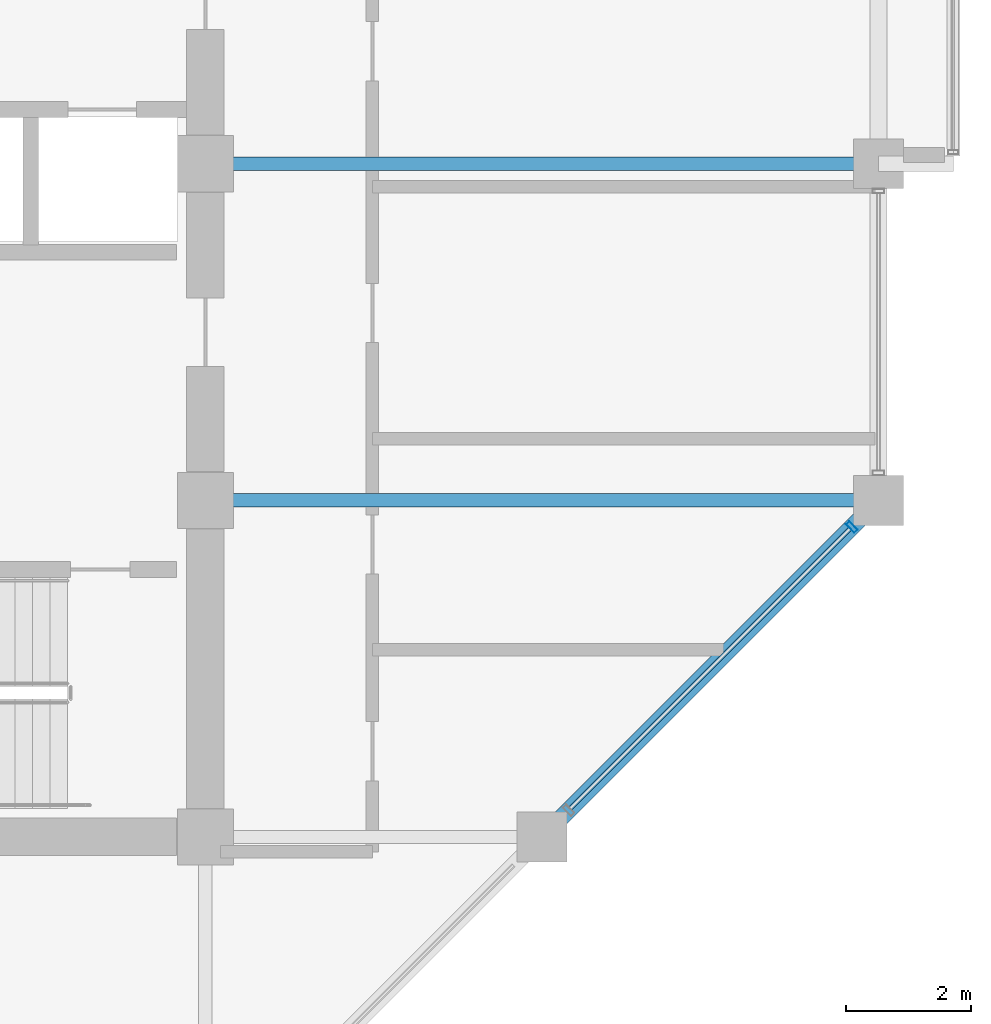
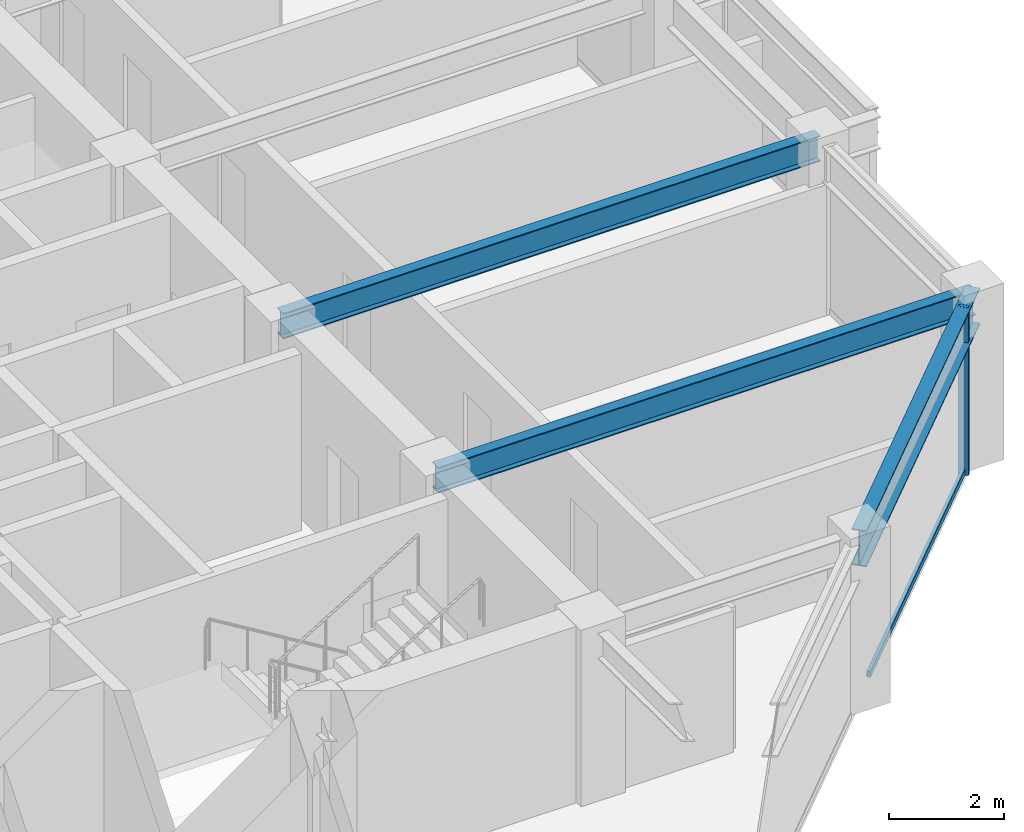
# One storey, part 10 of 28: 3 beams, 2 members, 1 element without a shape of its own.
"""IFC4 building model written with IfcOpenShell, lengths in metres."""

from ifc_helpers import new_model, si_unit, direction, frame, origin, origin_2d, place, context, subcontext, project, spatial, hollow_rectangle, i_section, extrude, material, layer, layer_set, material_profile, profile_set, type_object, element, aggregate, save


model = new_model("IFC4")

# Units and contexts
model_context = context("Model", 3, precision=1e-05, world=origin(), true_north=direction((0.0, 1.0)))
body_context = subcontext(model_context, "Body", "Model", "MODEL_VIEW")
ifc_project = project(units=[si_unit("LENGTHUNIT", "METRE"), si_unit("AREAUNIT", "SQUARE_METRE"), si_unit("VOLUMEUNIT", "CUBIC_METRE"), si_unit("PLANEANGLEUNIT", "RADIAN"), si_unit("MASSUNIT", "GRAM", prefix="KILO")], contexts=[model_context])

# Site, building, storey
site_placement = place(None, origin())
site = spatial("IfcSite", under=ifc_project, at=site_placement, CompositionType="ELEMENT")
building_placement = place(site_placement, origin())
building = spatial("IfcBuilding", under=site, at=building_placement, Name="Surkhivell Harbour Commons", CompositionType="ELEMENT")
storey_placement = place(building_placement, frame((0.0, 0.0, 238.5)))
storey = spatial("IfcBuildingStorey", under=building, at=storey_placement, Name="L62", CompositionType="ELEMENT", Elevation=238.5)

# Beams
ifc_material_1 = material(Name="Steel S355", Category="steel")
ifc_material_profile_1 = material_profile(ifc_material_1, i_section(OverallWidth=0.2119140625, OverallDepth=0.5439453125, WebThickness=0.0126953125, FlangeThickness=0.021240234375, at=origin_2d()), Name="UB533x210x122")
ifc_profile_set_1 = profile_set([ifc_material_profile_1], Name="Steel S355")
beam_type_1 = type_object("IfcBeamType", Name="BM-GRD-533A", PredefinedType="BEAM", material=ifc_profile_set_1)
for number, where, z_axis, x_axis, name in (
    (1, (10.800048828125, -5.39990234375, 3.298095703125), (1.0, 0.0, 0.0), (0.0, 1.0, 0.0), "L62 Floor Girder (10.8,-5.4)"),
    (2, (10.800048828125, 0.0, 3.298095703125), (1.0, 0.0, 0.0), (0.0, 1.0, 0.0), "L62 Floor Girder (10.8,0.0)"),
):
    element("IfcBeam", number, at=place(storey_placement, frame(where, z_axis=z_axis, x_axis=x_axis)), inside=storey, type_object=beam_type_1, Name=name, PredefinedType="BEAM", context=body_context, shape_type="SweptSolid", body=[
        extrude(i_section(OverallWidth=0.2119140625, OverallDepth=0.5439453125, WebThickness=0.0126953125, FlangeThickness=0.021240234375, at=origin_2d()), origin(), (0.0, 0.0, 1.0), 10.800048828125),
    ])
ifc_material_profile_2 = material_profile(ifc_material_1, i_section(OverallWidth=0.26806640625, OverallDepth=0.77001953125, WebThickness=0.015625, FlangeThickness=0.025390625, at=origin_2d()), Name="UB762x267x197")
ifc_profile_set_2 = profile_set([ifc_material_profile_2], Name="Steel S355")
beam_type_2 = type_object("IfcBeamType", Name="BM-SPN-762", PredefinedType="SPANDREL", material=ifc_profile_set_2)
beam_placement = place(storey_placement, frame((16.199951171875, -10.800048828125, 3.18505859375), z_axis=(0.707106781187, 0.707106781187, 0.0), x_axis=(-0.707106781187, 0.707106781187, 0.0)))
element("IfcBeam", 3, at=beam_placement, inside=storey, type_object=beam_type_2, Name="L62 Tube Spandrel (16.2,-10.8)", PredefinedType="SPANDREL", context=body_context, shape_type="SweptSolid", body=[
    extrude(i_section(OverallWidth=0.26806640625, OverallDepth=0.77001953125, WebThickness=0.015625, FlangeThickness=0.025390625, at=origin_2d()), origin(), (0.0, 0.0, 1.0), 7.636962890625),
])

# Curtain wall, members
ifc_material_2 = material(Name="Anodised pale-metal aluminium and insulated glazing", Category="aluminium")
ifc_layer = layer(ifc_material_2, 0.18994140625)
ifc_layer_set = layer_set([ifc_layer], Name="Anodised pale-metal aluminium and insulated glazing")
curtain_wall_type = type_object("IfcCurtainWallType", Name="CW-SYS-Z3", PredefinedType="NOTDEFINED", material=ifc_layer_set)
curtain_wall_placement = place(storey_placement, origin())
curtain_wall = element("IfcCurtainWall", 4, at=curtain_wall_placement, inside=storey, type_object=curtain_wall_type, Name="L62 Curtain Wall CW-L62-E01", PredefinedType="NOTDEFINED")
ifc_material_3 = material(Name="Anodised pale-metal aluminium alloy 6063-T6", Category="aluminium")
ifc_material_profile_3 = material_profile(ifc_material_3, hollow_rectangle(XDim=0.074951171875, YDim=0.18994140625, WallThickness=0.00390625, at=origin_2d()), Name="ALU-MULL-75x190")
ifc_profile_set_3 = profile_set([ifc_material_profile_3], Name="Anodised pale-metal aluminium alloy 6063-T6")
member_type_1 = type_object("IfcMemberType", Name="CWM-190", PredefinedType="MULLION", material=ifc_profile_set_3)
member_1_placement = place(storey_placement, frame((21.171875, -5.828125, 0.0), z_axis=(0.0, 0.0, 1.0), x_axis=(0.707106781187, 0.707106781187, 0.0)))
member_1 = element("IfcMember", 5, at=member_1_placement, type_object=member_type_1, Name="CW-Z3 mullion 4", PredefinedType="MULLION", context=body_context, shape_type="SweptSolid", body=[
    extrude(hollow_rectangle(XDim=0.074951171875, YDim=0.18994140625, WallThickness=0.00390625, at=origin_2d()), origin(), (0.0, 0.0, 1.0), 3.570068359375),
])
ifc_material_4 = material(Name="Champagne anodised aluminium alloy 6063-T6", Category="aluminium")
ifc_material_profile_4 = material_profile(ifc_material_4, hollow_rectangle(XDim=0.070068359375, YDim=0.1298828125, WallThickness=0.00341796875, at=origin_2d()), Name="ALU-TRAN-70x130")
ifc_profile_set_4 = profile_set([ifc_material_profile_4], Name="Champagne anodised aluminium alloy 6063-T6")
member_type_2 = type_object("IfcMemberType", Name="CWT-130", PredefinedType="USERDEFINED", material=ifc_profile_set_4)
member_2_placement = place(storey_placement, frame((16.65478515625, -10.34521484375, 0.06494140625), z_axis=(0.707106781187, 0.707106781187, 0.0), x_axis=(-0.707106781187, 0.707106781187, 0.0)))
member_2 = element("IfcMember", 6, at=member_2_placement, type_object=member_type_2, Name="CW-Z3 transom 3.1", ObjectType="TRANSOM", PredefinedType="USERDEFINED", context=body_context, shape_type="SweptSolid", body=[
    extrude(hollow_rectangle(XDim=0.070068359375, YDim=0.1298828125, WallThickness=0.00341796875, at=origin_2d()), origin(), (0.0, 0.0, 1.0), 6.3505859375),
])
aggregate(curtain_wall, [member_1, member_2])

save(model, "model.ifc")
